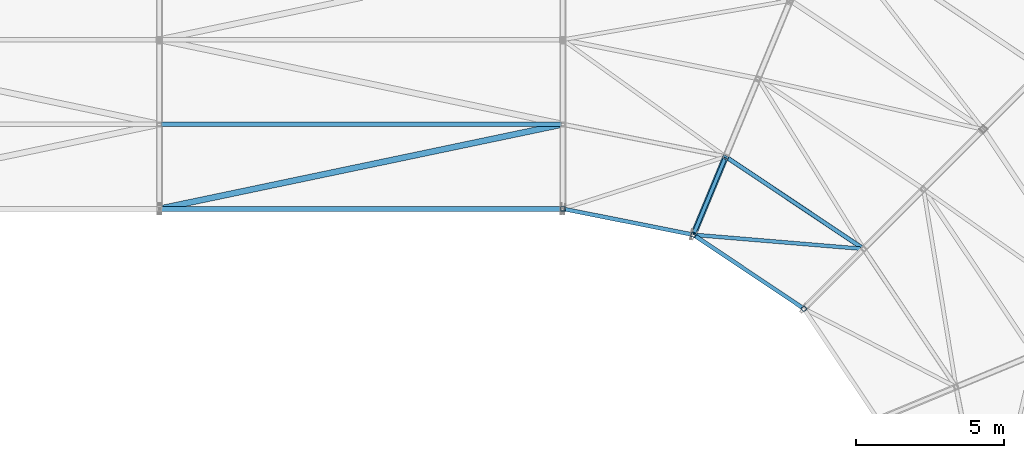
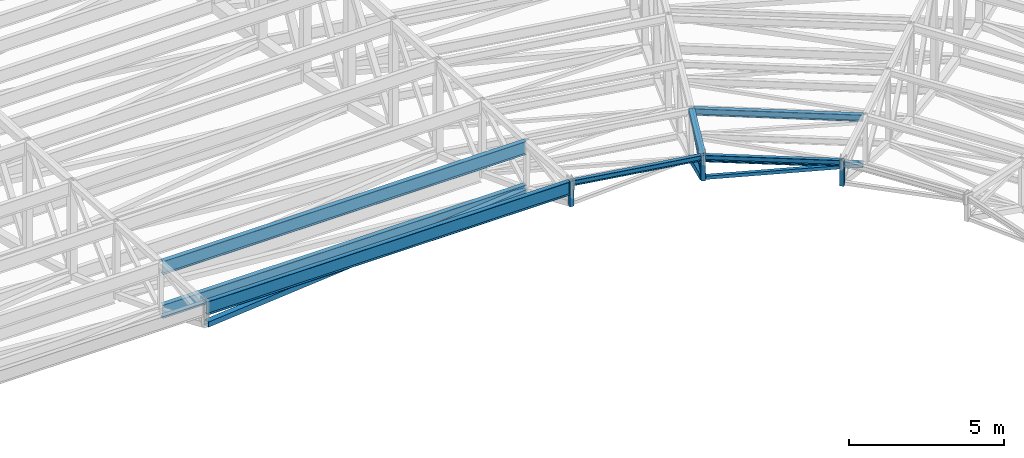
# One storey, part 83 of 278: 10 members, 5 beams.
"""IFC4 building model written with IfcOpenShell, lengths in metres."""

import ifcopenshell
import ifcopenshell.guid

model = None  # the IFC model being written
_history = None  # IfcOwnerHistory: only IFC2X3 demands one
_inside = {}  # id of a spatial element -> (the spatial element, [elements in it])
_under = {}  # id of a project, library or spatial element -> (it, [spatial elements below it])
_declared = {}  # id of a project -> (the project, [libraries it declares])
_typed = {}  # id of a type object -> (the type object, [elements of that type])
_made_of = {}  # id of a material, layer set ... -> (it, [elements and type objects made of it])


def new_model(schema):
    """Start an empty IFC model of exactly this schema.

    Asked for "IFC4X3", IfcOpenShell would pick the latest addendum, in which some entities
    have other attributes; the version numbers below select the first issue.
    IFC2X3 requires an IfcOwnerHistory on every rooted entity: one is made here for all.
    """
    global model, _history
    if schema == "IFC4X3":
        model = ifcopenshell.file(schema_version=(4, 3, 0, 0))
    else:
        model = ifcopenshell.file(schema=schema)
    _inside.clear()
    _under.clear()
    _declared.clear()
    _typed.clear()
    _made_of.clear()
    _history = None
    if model.schema == "IFC2X3":
        org = make("IfcOrganization", Name="unknown")
        user = make(
            "IfcPersonAndOrganization",
            ThePerson=make("IfcPerson", FamilyName="unknown"),
            TheOrganization=org,
        )
        app = make(
            "IfcApplication",
            ApplicationDeveloper=org,
            Version="unknown",
            ApplicationFullName="unknown",
            ApplicationIdentifier="unknown",
        )
        _history = make(
            "IfcOwnerHistory",
            OwningUser=user,
            OwningApplication=app,
            ChangeAction="ADDED",
            CreationDate=0,
        )
    return model


def make(cls, **values):
    """One entity of the class cls with the attributes given. An attribute that is None is left unset."""
    return model.create_entity(
        cls, **{name: value for name, value in values.items() if value is not None}
    )


def rooted(cls, **values):
    """An entity with a GlobalId (a new one), such as an element, a storey or a relation."""
    return make(cls, GlobalId=ifcopenshell.guid.new(), OwnerHistory=_history, **values)


def si_unit(unit_type, name, prefix=None):
    """IfcSIUnit, for example si_unit("LENGTHUNIT", "METRE", prefix="MILLI")."""
    return make("IfcSIUnit", UnitType=unit_type, Prefix=prefix, Name=name)


def assignment(units):
    """IfcUnitAssignment: the units of a project."""
    return None if units is None else make("IfcUnitAssignment", Units=units)


def point(xyz):
    """IfcCartesianPoint."""
    return None if xyz is None else make("IfcCartesianPoint", Coordinates=xyz)


def direction(xyz):
    """IfcDirection."""
    return None if xyz is None else make("IfcDirection", DirectionRatios=xyz)


def frame(location, z_axis=None, x_axis=None):
    """IfcAxis2Placement3D, a coordinate frame: its origin and axes. An axis left out is left unset."""
    return make(
        "IfcAxis2Placement3D",
        Location=point(location),
        Axis=direction(z_axis),
        RefDirection=direction(x_axis),
    )


def frame_2d(location, x_axis=None):
    """IfcAxis2Placement2D, a coordinate frame in the plane: its origin and x axis."""
    return make(
        "IfcAxis2Placement2D", Location=point(location), RefDirection=direction(x_axis)
    )


def origin():
    """The frame at (0, 0, 0) with its axes left unset."""
    return frame((0.0, 0.0, 0.0))


def origin_2d():
    """The frame at (0, 0) in the plane with its x axis left unset."""
    return frame_2d((0.0, 0.0))


def place(relative_to, where):
    """IfcLocalPlacement: puts the frame where relative to a parent placement (None: the world)."""
    return make(
        "IfcLocalPlacement", PlacementRelTo=relative_to, RelativePlacement=where
    )


def context(
    kind, dimensions, precision=None, world=None, true_north=None, identifier=None
):
    """IfcGeometricRepresentationContext, for example the 3D "Model" context."""
    return make(
        "IfcGeometricRepresentationContext",
        ContextIdentifier=identifier,
        ContextType=kind,
        CoordinateSpaceDimension=dimensions,
        Precision=precision,
        WorldCoordinateSystem=world,
        TrueNorth=true_north,
    )


def subcontext(parent, identifier, kind, view, scale=None):
    """IfcGeometricRepresentationSubContext, for example "Body" below "Model"."""
    return make(
        "IfcGeometricRepresentationSubContext",
        ContextIdentifier=identifier,
        ContextType=kind,
        ParentContext=parent,
        TargetScale=scale,
        TargetView=view,
    )


def project(units=None, contexts=None):
    """IfcProject with its units and contexts."""
    return rooted(
        "IfcProject",
        Name="project",
        RepresentationContexts=contexts,
        UnitsInContext=assignment(units),
    )


def spatial(cls, under=None, at=None, **own):
    """A site, building, storey or space (cls), placed at a placement, below another one or the project."""
    s = rooted(cls, ObjectPlacement=at, **own)
    if under is not None:
        _under.setdefault(under.id(), (under, []))[1].append(s)
    return s


def profile(cls, at=None, kind="AREA", **sizes):
    """A parametric profile (cls). Its sizes go by their IFC names, for example OverallWidth=200.0."""
    return make(cls, ProfileType=kind, Position=at, **sizes)


def hollow_rectangle(**sizes):
    """IfcRectangleHollowProfileDef."""
    return profile("IfcRectangleHollowProfileDef", **sizes)


def i_section(**sizes):
    """IfcIShapeProfileDef."""
    return profile("IfcIShapeProfileDef", **sizes)


def extrude(swept, where, along, depth):
    """IfcExtrudedAreaSolid: the profile swept, set in the frame where, extruded along a direction by depth."""
    return make(
        "IfcExtrudedAreaSolid",
        SweptArea=swept,
        Position=where,
        ExtrudedDirection=direction(along),
        Depth=depth,
    )


def shape(context_of_items, identifier, shape_type, items):
    """IfcShapeRepresentation: the items that make up one representation, for example the "Body"."""
    return make(
        "IfcShapeRepresentation",
        ContextOfItems=context_of_items,
        RepresentationIdentifier=identifier,
        RepresentationType=shape_type,
        Items=items,
    )


def material(Name=None, Category=None):
    """IfcMaterial."""
    return make("IfcMaterial", Name=Name, Category=Category)


def material_profile(
    of_material, cross_section, Name=None, Category=None, Priority=None
):
    """IfcMaterialProfile: a cross section and its material."""
    return make(
        "IfcMaterialProfile",
        Name=Name,
        Material=of_material,
        Profile=cross_section,
        Priority=Priority,
        Category=Category,
    )


def profile_set(profiles, Name=None, composite=None):
    """IfcMaterialProfileSet."""
    return make(
        "IfcMaterialProfileSet",
        Name=Name,
        MaterialProfiles=profiles,
        CompositeProfile=composite,
    )


def made_of(thing, what):
    """Note that an element or type object is made of a material, layer set ...; save() writes the relation."""
    if what is not None:
        _made_of.setdefault(what.id(), (what, []))[1].append(thing)
    return thing


def type_object(cls, material=None, **own):
    """A type object (cls), such as IfcWallType, which elements share."""
    return made_of(rooted(cls, **own), material)


def element(
    cls,
    number,
    at=None,
    inside=None,
    cuts=None,
    type_object=None,
    material=None,
    context=None,
    identifier="Body",
    shape_type=None,
    held_by="IfcProductDefinitionShape",
    body=None,
    shapes=None,
    **own,
):
    """One element of the class cls, such as IfcWall. Its Tag is "e" and its number.

    at: its placement. inside: the storey or other place that contains it. cuts: it is an
    opening in that element (IfcRelVoidsElement). A single representation is given by context,
    identifier, shape_type and body (its items); several are given by shapes. held_by: the class
    of the entity that holds the representations. save() writes the other relations.
    """
    e = rooted(cls, Tag="e%d" % number, ObjectPlacement=at, **own)
    if body is not None:
        shapes = [shape(context, identifier, shape_type, body)]
    if shapes is not None:
        e.Representation = make(held_by, Representations=shapes)
    if inside is not None:
        _inside.setdefault(inside.id(), (inside, []))[1].append(e)
    if cuts is not None:
        rooted(
            "IfcRelVoidsElement", RelatingBuildingElement=cuts, RelatedOpeningElement=e
        )
    if type_object is not None:
        _typed.setdefault(type_object.id(), (type_object, []))[1].append(e)
    return made_of(e, material)


def aggregate(whole, parts):
    """IfcRelAggregates: a whole, such as a stair, and the parts it consists of."""
    return rooted("IfcRelAggregates", RelatingObject=whole, RelatedObjects=parts)


def save(model, path):
    """Write the relations noted so far, then the file.

    IfcRelAggregates (storeys below a building ...), IfcRelContainedInSpatialStructure (elements
    in a storey), IfcRelDefinesByType, IfcRelAssociatesMaterial and IfcRelDeclares: one each for
    every whole, place, type object, material and project.
    """
    for whole, parts in _under.values():
        aggregate(whole, parts)
    for where, things in _inside.values():
        rooted(
            "IfcRelContainedInSpatialStructure",
            RelatedElements=things,
            RelatingStructure=where,
        )
    for kind, things in _typed.values():
        rooted("IfcRelDefinesByType", RelatedObjects=things, RelatingType=kind)
    for what, things in _made_of.values():
        rooted("IfcRelAssociatesMaterial", RelatedObjects=things, RelatingMaterial=what)
    for by, libraries in _declared.values():
        rooted("IfcRelDeclares", RelatingContext=by, RelatedDefinitions=libraries)
    model.write(path)


model = new_model("IFC4")

# Units and contexts
model_context = context("Model", 3, precision=1e-05, world=origin(), true_north=direction((0.0, 1.0)))
body_context = subcontext(model_context, "Body", "Model", "MODEL_VIEW")
ifc_project = project(units=[si_unit("LENGTHUNIT", "METRE"), si_unit("AREAUNIT", "SQUARE_METRE"), si_unit("VOLUMEUNIT", "CUBIC_METRE"), si_unit("PLANEANGLEUNIT", "RADIAN"), si_unit("MASSUNIT", "GRAM", prefix="KILO")], contexts=[model_context])

# Site, building, storey
site_placement = place(None, origin())
site = spatial("IfcSite", under=ifc_project, at=site_placement, CompositionType="ELEMENT")
building_placement = place(site_placement, origin())
building = spatial("IfcBuilding", under=site, at=building_placement, Name="Ogive Plaza Stadium", CompositionType="ELEMENT")
storey_placement = place(building_placement, frame((0.0, 0.0, 29.0)))
storey = spatial("IfcBuildingStorey", under=building, at=storey_placement, Name="Roof", CompositionType="ELEMENT", Elevation=29.0)

# Members
ifc_material_1 = material(Name="Steel ASTM A500 Grade C", Category="steel")
ifc_material_profile_1 = material_profile(ifc_material_1, hollow_rectangle(XDim=0.126953125, YDim=0.126953125, WallThickness=0.005859375, at=origin_2d()), Name="HSS5X5X1/4")
ifc_profile_set_1 = profile_set([ifc_material_profile_1], Name="Steel ASTM A500 Grade C")
member_type_1 = type_object("IfcMemberType", Name="Roof plan brace HSS5X5X1/4", PredefinedType="BRACE", material=ifc_profile_set_1)
member_1_placement = place(storey_placement, frame((38.470947265625, 63.118896484375, 6.51171875), z_axis=(0.974951652245, -0.081056653084, -0.207120966527), x_axis=(0.082853298664, 0.996561754685, 0.0)))
element("IfcMember", 1, at=member_1_placement, inside=storey, type_object=member_type_1, Name="ROOF BRACE B38 1", PredefinedType="BRACE", context=body_context, shape_type="SweptSolid", body=[
    extrude(hollow_rectangle(XDim=0.126953125, YDim=0.126953125, WallThickness=0.005859375, at=origin_2d()), origin(), (0.0, 0.0, 1.0), 5.695556640625),
])
ifc_material_2 = material(Name="Steel ASTM A500 Grade C", Category="steel")
ifc_material_profile_2 = material_profile(ifc_material_2, hollow_rectangle(XDim=0.203125, YDim=0.203125, WallThickness=0.0087890625, at=origin_2d()), Name="HSS8X8X3/8")
ifc_profile_set_2 = profile_set([ifc_material_profile_2], Name="Steel ASTM A500 Grade C")
member_type_2 = type_object("IfcMemberType", Name="Roof plan brace HSS8X8X3/8", PredefinedType="BRACE", material=ifc_profile_set_2)
member_2_placement = place(storey_placement, frame((20.4677734375, 64.01416015625, 6.5205078125), z_axis=(0.974983402681, 0.204327358854, -0.087508256301), x_axis=(-0.205114219191, 0.978738043138, 0.0)))
element("IfcMember", 2, at=member_2_placement, inside=storey, type_object=member_type_2, Name="ROOF BRACE B36 1", PredefinedType="BRACE", context=body_context, shape_type="SweptSolid", body=[
    extrude(hollow_rectangle(XDim=0.203125, YDim=0.203125, WallThickness=0.0087890625, at=origin_2d()), origin(), (0.0, 0.0, 1.0), 13.81005859375),
])
ifc_material_3 = material(Name="Steel ASTM A992 Grade 50", Category="steel")
ifc_material_profile_3 = material_profile(ifc_material_3, i_section(OverallWidth=0.1650390625, OverallDepth=0.524658203125, WebThickness=0.0087890625, FlangeThickness=0.011474609375, at=origin_2d()), Name="W21X44")
ifc_profile_set_3 = profile_set([ifc_material_profile_3], Name="Steel ASTM A992 Grade 50")
member_type_3 = type_object("IfcMemberType", Name="Roof plan strut W21X44", PredefinedType="STRUT", material=ifc_profile_set_3)
member_3_placement = place(storey_placement, frame((20.4462890625, 66.85009765625, 5.305908203125), z_axis=(1.0, 0.0, 0.0), x_axis=(0.0, 1.0, 0.0)))
element("IfcMember", 3, at=member_3_placement, inside=storey, type_object=member_type_3, Name="ROOF STRUT B36 1", PredefinedType="STRUT", context=body_context, shape_type="SweptSolid", body=[
    extrude(i_section(OverallWidth=0.1650390625, OverallDepth=0.524658203125, WebThickness=0.0087890625, FlangeThickness=0.011474609375, at=origin_2d()), origin(), (0.0, 0.0, 1.0), 13.507568359375),
])
ifc_material_4 = material(Name="Steel ASTM A992 Grade 50", Category="steel")
ifc_material_profile_4 = material_profile(ifc_material_4, i_section(OverallWidth=0.13330078125, OverallDepth=0.206787109375, WebThickness=0.005859375, FlangeThickness=0.00830078125, at=origin_2d()), Name="W8X18")
ifc_profile_set_4 = profile_set([ifc_material_profile_4], Name="Steel ASTM A992 Grade 50")
member_type_4 = type_object("IfcMemberType", Name="Roof plan strut W8X18", PredefinedType="STRUT", material=ifc_profile_set_4)
member_4_placement = place(storey_placement, frame((39.542236328125, 65.723876953125, 5.305908203125), z_axis=(0.831460060683, -0.555584527762, 0.0), x_axis=(0.555584527762, 0.831460060683, 0.0)))
element("IfcMember", 4, at=member_4_placement, inside=storey, type_object=member_type_4, Name="ROOF STRUT B38 1", PredefinedType="STRUT", context=body_context, shape_type="SweptSolid", body=[
    extrude(i_section(OverallWidth=0.13330078125, OverallDepth=0.206787109375, WebThickness=0.005859375, FlangeThickness=0.00830078125, at=origin_2d()), origin(), (0.0, 0.0, 1.0), 5.47705078125),
])
ifc_material_5 = material(Name="Steel ASTM A992 Grade 50", Category="steel")
ifc_material_profile_5 = material_profile(ifc_material_5, i_section(OverallWidth=0.14599609375, OverallDepth=0.25830078125, WebThickness=0.006103515625, FlangeThickness=0.009033203125, at=origin_2d()), Name="W10X22")
ifc_profile_set_5 = profile_set([ifc_material_profile_5], Name="Steel ASTM A992 Grade 50")
member_type_5 = type_object("IfcMemberType", Name="Roof purlin W10X22", PredefinedType="PURLIN", material=ifc_profile_set_5)
member_5_placement = place(storey_placement, frame((39.543212890625, 65.72314453125, 7.1533203125), z_axis=(0.831473540822, -0.55556435353, 0.0), x_axis=(0.55556435353, 0.831473540822, 0.0)))
element("IfcMember", 5, at=member_5_placement, inside=storey, type_object=member_type_5, Name="ROOF PURLIN B38 1", PredefinedType="PURLIN", context=body_context, shape_type="SweptSolid", body=[
    extrude(i_section(OverallWidth=0.14599609375, OverallDepth=0.25830078125, WebThickness=0.006103515625, FlangeThickness=0.009033203125, at=origin_2d()), origin(), (0.0, 0.0, 1.0), 5.474609375),
])
ifc_material_6 = material(Name="Steel ASTM A992 Grade 50", Category="steel")
ifc_material_profile_6 = material_profile(ifc_material_6, i_section(OverallWidth=0.1650390625, OverallDepth=0.524658203125, WebThickness=0.0087890625, FlangeThickness=0.011474609375, at=origin_2d()), Name="W21X44")
ifc_profile_set_6 = profile_set([ifc_material_profile_6], Name="Steel ASTM A992 Grade 50")
member_type_6 = type_object("IfcMemberType", Name="Roof purlin W21X44", PredefinedType="PURLIN", material=ifc_profile_set_6)
member_6_placement = place(storey_placement, frame((20.4462890625, 66.85009765625, 7.02001953125), z_axis=(1.0, 0.0, 0.0), x_axis=(0.0, 1.0, 0.0)))
element("IfcMember", 6, at=member_6_placement, inside=storey, type_object=member_type_6, Name="ROOF PURLIN B36 1", PredefinedType="PURLIN", context=body_context, shape_type="SweptSolid", body=[
    extrude(i_section(OverallWidth=0.1650390625, OverallDepth=0.524658203125, WebThickness=0.0087890625, FlangeThickness=0.011474609375, at=origin_2d()), origin(), (0.0, 0.0, 1.0), 13.507568359375),
])
ifc_material_7 = material(Name="Steel ASTM A992 Grade 50", Category="steel")
ifc_material_profile_7 = material_profile(ifc_material_7, i_section(OverallWidth=0.1650390625, OverallDepth=0.524658203125, WebThickness=0.0087890625, FlangeThickness=0.011474609375, at=origin_2d()), Name="W21X44")
ifc_profile_set_7 = profile_set([ifc_material_profile_7], Name="Steel ASTM A992 Grade 50")
member_type_7 = type_object("IfcMemberType", Name="Roof tip ring beam W21X44", PredefinedType="MEMBER", material=ifc_profile_set_7)
member_7_placement = place(storey_placement, frame((20.4462890625, 64.0, 7.16259765625), z_axis=(1.0, 0.0, 0.0), x_axis=(0.0, 1.0, 0.0)))
element("IfcMember", 7, at=member_7_placement, inside=storey, type_object=member_type_7, Name="RING BEAM B36", PredefinedType="MEMBER", context=body_context, shape_type="SweptSolid", body=[
    extrude(i_section(OverallWidth=0.1650390625, OverallDepth=0.524658203125, WebThickness=0.0087890625, FlangeThickness=0.011474609375, at=origin_2d()), origin(), (0.0, 0.0, 1.0), 13.507568359375),
])
ifc_material_8 = material(Name="Steel ASTM A992 Grade 50", Category="steel")
ifc_material_profile_8 = material_profile(ifc_material_8, i_section(OverallWidth=0.13330078125, OverallDepth=0.206787109375, WebThickness=0.005859375, FlangeThickness=0.00830078125, at=origin_2d()), Name="W8X18")
ifc_profile_set_8 = profile_set([ifc_material_profile_8], Name="Steel ASTM A992 Grade 50")
member_type_8 = type_object("IfcMemberType", Name="Roof tip ring beam W8X18", PredefinedType="MEMBER", material=ifc_profile_set_8)
for number, where, z_axis, x_axis, name in (
    (8, (34.059814453125, 63.988037109375, 7.321533203125), (0.980786642434, -0.195083474499, 0.0), (0.195083474499, 0.980786642434, 0.0), "RING BEAM B37"),
    (9, (38.45166015625, 63.0908203125, 7.321533203125), (0.831447486462, -0.555603345252, 0.0), (0.555603345252, 0.831447486462, 0.0), "RING BEAM B38"),
):
    element("IfcMember", number, at=place(storey_placement, frame(where, z_axis=z_axis, x_axis=x_axis)), inside=storey, type_object=member_type_8, Name=name, PredefinedType="MEMBER", context=body_context, shape_type="SweptSolid", body=[
        extrude(i_section(OverallWidth=0.13330078125, OverallDepth=0.206787109375, WebThickness=0.005859375, FlangeThickness=0.00830078125, at=origin_2d()), origin(), (0.0, 0.0, 1.0), 4.365234375),
    ])

# Beam
ifc_material_9 = material(Name="Steel ASTM A500 Grade C", Category="steel")
ifc_material_profile_9 = material_profile(ifc_material_9, hollow_rectangle(XDim=0.203125, YDim=0.203125, WallThickness=0.01171875, at=origin_2d()), Name="HSS8X8X1/2")
ifc_profile_set_9 = profile_set([ifc_material_profile_9], Name="Steel ASTM A500 Grade C")
beam_type_1 = type_object("IfcBeamType", Name="Roof truss bottom chord HSS8X8X1/2", PredefinedType="BEAM", material=ifc_profile_set_9)
beam_1_placement = place(storey_placement, frame((38.416259765625, 63.16162109375, 6.518310546875), z_axis=(0.351765143459, 0.849251260717, -0.393743038055), x_axis=(-0.923881935076, 0.382677632008, 0.0)))
element("IfcBeam", 10, at=beam_1_placement, inside=storey, type_object=beam_type_1, Name="ROOF TRUSS T38 BOTTOM CHORD 1", PredefinedType="BEAM", context=body_context, shape_type="SweptSolid", body=[
    extrude(hollow_rectangle(XDim=0.203125, YDim=0.203125, WallThickness=0.01171875, at=origin_2d()), origin(), (0.0, 0.0, 1.0), 3.047607421875),
])

# Member
ifc_material_10 = material(Name="Steel ASTM A500 Grade C", Category="steel")
ifc_material_profile_10 = material_profile(ifc_material_10, hollow_rectangle(XDim=0.126953125, YDim=0.126953125, WallThickness=0.005859375, at=origin_2d()), Name="HSS5X5X1/4")
ifc_profile_set_10 = profile_set([ifc_material_profile_10], Name="Steel ASTM A500 Grade C")
member_type_9 = type_object("IfcMemberType", Name="Roof truss diagonal HSS5X5X1/4", PredefinedType="BRACE", material=ifc_profile_set_10)
member_8_placement = place(storey_placement, frame((38.429931640625, 63.195068359375, 6.628173828125), z_axis=(0.377494789927, 0.911200476609, 0.164958706972), x_axis=(-0.923856877937, 0.382738120768, 0.0)))
element("IfcMember", 11, at=member_8_placement, inside=storey, type_object=member_type_9, Name="ROOF TRUSS T38 DIAGONAL 1", PredefinedType="BRACE", context=body_context, shape_type="SweptSolid", body=[
    extrude(hollow_rectangle(XDim=0.126953125, YDim=0.126953125, WallThickness=0.005859375, at=origin_2d()), origin(), (0.0, 0.0, 1.0), 2.735107421875),
])

# Beams
ifc_material_11 = material(Name="Steel ASTM A500 Grade C", Category="steel")
ifc_material_profile_11 = material_profile(ifc_material_11, hollow_rectangle(XDim=0.15234375, YDim=0.15234375, WallThickness=0.0087890625, at=origin_2d()), Name="HSS6X6X3/8")
ifc_profile_set_11 = profile_set([ifc_material_profile_11], Name="Steel ASTM A500 Grade C")
beam_type_2 = type_object("IfcBeamType", Name="Roof truss post HSS6X6X3/8", PredefinedType="BEAM", material=ifc_profile_set_11)
for number, where, z_axis, x_axis, name in (
    (12, (34.0, 64.0, 6.425048828125), (0.0, 0.0, 1.0), (-1.0, 0.0, 0.0), "ROOF TRUSS T37 POST 1"),
    (13, (38.40087890625, 63.12451171875, 6.425048828125), (0.0, 0.0, 1.0), (-0.923879532511, 0.382683432365, 0.0), "ROOF TRUSS T38 POST 1"),
    (14, (42.1318359375, 60.6318359375, 6.425048828125), (0.0, 0.0, 1.0), (-0.707106781187, 0.707106781187, 0.0), "ROOF TRUSS T39 POST 1"),
):
    element("IfcBeam", number, at=place(storey_placement, frame(where, z_axis=z_axis, x_axis=x_axis)), inside=storey, type_object=beam_type_2, Name=name, PredefinedType="BEAM", context=body_context, shape_type="SweptSolid", body=[
        extrude(hollow_rectangle(XDim=0.15234375, YDim=0.15234375, WallThickness=0.0087890625, at=origin_2d()), origin(), (0.0, 0.0, 1.0), 1.0),
    ])
ifc_material_12 = material(Name="Steel ASTM A500 Grade C", Category="steel")
ifc_material_profile_12 = material_profile(ifc_material_12, hollow_rectangle(XDim=0.203125, YDim=0.203125, WallThickness=0.0087890625, at=origin_2d()), Name="HSS8X8X3/8")
ifc_profile_set_12 = profile_set([ifc_material_profile_12], Name="Steel ASTM A500 Grade C")
beam_type_3 = type_object("IfcBeamType", Name="Roof truss top chord HSS8X8X3/8", PredefinedType="BEAM", material=ifc_profile_set_12)
beam_2_placement = place(storey_placement, frame((38.41650390625, 63.16259765625, 7.3212890625), z_axis=(0.382245373816, 0.922709851429, -0.049950017735), x_axis=(-0.923863092395, 0.382723119906, 0.0)))
element("IfcBeam", 15, at=beam_2_placement, inside=storey, type_object=beam_type_3, Name="ROOF TRUSS T38 TOP CHORD 1", PredefinedType="BEAM", context=body_context, shape_type="SweptSolid", body=[
    extrude(hollow_rectangle(XDim=0.203125, YDim=0.203125, WallThickness=0.0087890625, at=origin_2d()), origin(), (0.0, 0.0, 1.0), 2.771240234375),
])

save(model, "model.ifc")
